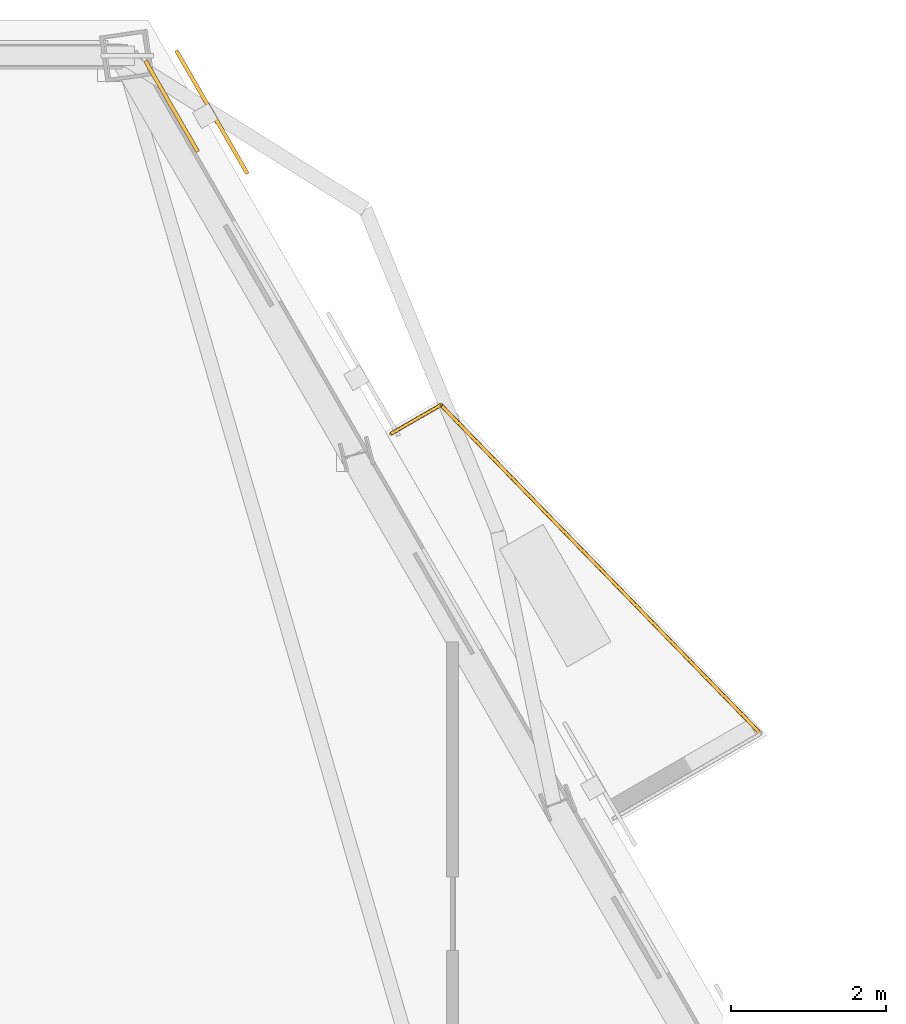
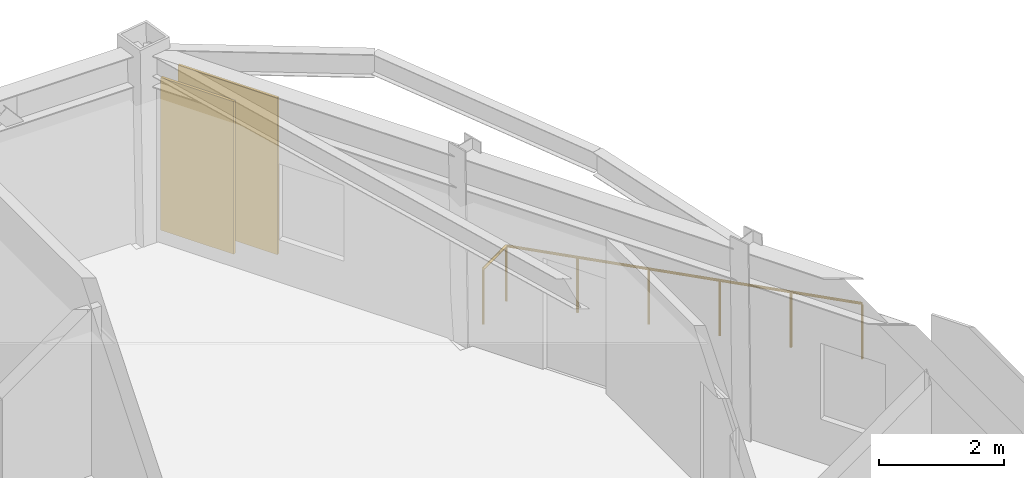
# One storey, part 9 of 9: 2 railings, 1 covering, 1 shading device.
"""IFC4 building model written with IfcOpenShell, lengths in metres."""

import ifcopenshell
import ifcopenshell.guid

model = None  # the IFC model being written
_history = None  # IfcOwnerHistory: only IFC2X3 demands one
_inside = {}  # id of a spatial element -> (the spatial element, [elements in it])
_under = {}  # id of a project, library or spatial element -> (it, [spatial elements below it])
_declared = {}  # id of a project -> (the project, [libraries it declares])
_typed = {}  # id of a type object -> (the type object, [elements of that type])
_made_of = {}  # id of a material, layer set ... -> (it, [elements and type objects made of it])


def new_model(schema):
    """Start an empty IFC model of exactly this schema.

    Asked for "IFC4X3", IfcOpenShell would pick the latest addendum, in which some entities
    have other attributes; the version numbers below select the first issue.
    IFC2X3 requires an IfcOwnerHistory on every rooted entity: one is made here for all.
    """
    global model, _history
    if schema == "IFC4X3":
        model = ifcopenshell.file(schema_version=(4, 3, 0, 0))
    else:
        model = ifcopenshell.file(schema=schema)
    _inside.clear()
    _under.clear()
    _declared.clear()
    _typed.clear()
    _made_of.clear()
    _history = None
    if model.schema == "IFC2X3":
        org = make("IfcOrganization", Name="unknown")
        user = make(
            "IfcPersonAndOrganization",
            ThePerson=make("IfcPerson", FamilyName="unknown"),
            TheOrganization=org,
        )
        app = make(
            "IfcApplication",
            ApplicationDeveloper=org,
            Version="unknown",
            ApplicationFullName="unknown",
            ApplicationIdentifier="unknown",
        )
        _history = make(
            "IfcOwnerHistory",
            OwningUser=user,
            OwningApplication=app,
            ChangeAction="ADDED",
            CreationDate=0,
        )
    return model


def make(cls, **values):
    """One entity of the class cls with the attributes given. An attribute that is None is left unset."""
    return model.create_entity(
        cls, **{name: value for name, value in values.items() if value is not None}
    )


def rooted(cls, **values):
    """An entity with a GlobalId (a new one), such as an element, a storey or a relation."""
    return make(cls, GlobalId=ifcopenshell.guid.new(), OwnerHistory=_history, **values)


def si_unit(unit_type, name, prefix=None):
    """IfcSIUnit, for example si_unit("LENGTHUNIT", "METRE", prefix="MILLI")."""
    return make("IfcSIUnit", UnitType=unit_type, Prefix=prefix, Name=name)


def assignment(units):
    """IfcUnitAssignment: the units of a project."""
    return None if units is None else make("IfcUnitAssignment", Units=units)


def point(xyz):
    """IfcCartesianPoint."""
    return None if xyz is None else make("IfcCartesianPoint", Coordinates=xyz)


def direction(xyz):
    """IfcDirection."""
    return None if xyz is None else make("IfcDirection", DirectionRatios=xyz)


def frame(location, z_axis=None, x_axis=None):
    """IfcAxis2Placement3D, a coordinate frame: its origin and axes. An axis left out is left unset."""
    return make(
        "IfcAxis2Placement3D",
        Location=point(location),
        Axis=direction(z_axis),
        RefDirection=direction(x_axis),
    )


def frame_2d(location, x_axis=None):
    """IfcAxis2Placement2D, a coordinate frame in the plane: its origin and x axis."""
    return make(
        "IfcAxis2Placement2D", Location=point(location), RefDirection=direction(x_axis)
    )


def origin():
    """The frame at (0, 0, 0) with its axes left unset."""
    return frame((0.0, 0.0, 0.0))


def origin_2d():
    """The frame at (0, 0) in the plane with its x axis left unset."""
    return frame_2d((0.0, 0.0))


def place(relative_to, where):
    """IfcLocalPlacement: puts the frame where relative to a parent placement (None: the world)."""
    return make(
        "IfcLocalPlacement", PlacementRelTo=relative_to, RelativePlacement=where
    )


def context(
    kind, dimensions, precision=None, world=None, true_north=None, identifier=None
):
    """IfcGeometricRepresentationContext, for example the 3D "Model" context."""
    return make(
        "IfcGeometricRepresentationContext",
        ContextIdentifier=identifier,
        ContextType=kind,
        CoordinateSpaceDimension=dimensions,
        Precision=precision,
        WorldCoordinateSystem=world,
        TrueNorth=true_north,
    )


def subcontext(parent, identifier, kind, view, scale=None):
    """IfcGeometricRepresentationSubContext, for example "Body" below "Model"."""
    return make(
        "IfcGeometricRepresentationSubContext",
        ContextIdentifier=identifier,
        ContextType=kind,
        ParentContext=parent,
        TargetScale=scale,
        TargetView=view,
    )


def project(units=None, contexts=None):
    """IfcProject with its units and contexts."""
    return rooted(
        "IfcProject",
        Name="project",
        RepresentationContexts=contexts,
        UnitsInContext=assignment(units),
    )


def spatial(cls, under=None, at=None, **own):
    """A site, building, storey or space (cls), placed at a placement, below another one or the project."""
    s = rooted(cls, ObjectPlacement=at, **own)
    if under is not None:
        _under.setdefault(under.id(), (under, []))[1].append(s)
    return s


def profile(cls, at=None, kind="AREA", **sizes):
    """A parametric profile (cls). Its sizes go by their IFC names, for example OverallWidth=200.0."""
    return make(cls, ProfileType=kind, Position=at, **sizes)


def rectangle(**sizes):
    """IfcRectangleProfileDef."""
    return profile("IfcRectangleProfileDef", **sizes)


def circle(**sizes):
    """IfcCircleProfileDef."""
    return profile("IfcCircleProfileDef", **sizes)


def extrude(swept, where, along, depth):
    """IfcExtrudedAreaSolid: the profile swept, set in the frame where, extruded along a direction by depth."""
    return make(
        "IfcExtrudedAreaSolid",
        SweptArea=swept,
        Position=where,
        ExtrudedDirection=direction(along),
        Depth=depth,
    )


def shape(context_of_items, identifier, shape_type, items):
    """IfcShapeRepresentation: the items that make up one representation, for example the "Body"."""
    return make(
        "IfcShapeRepresentation",
        ContextOfItems=context_of_items,
        RepresentationIdentifier=identifier,
        RepresentationType=shape_type,
        Items=items,
    )


def material(Name=None, Category=None):
    """IfcMaterial."""
    return make("IfcMaterial", Name=Name, Category=Category)


def layer(
    of_material, thickness, ventilated=None, Name=None, Category=None, Priority=None
):
    """IfcMaterialLayer: one layer of a wall or slab, of a material (None: an air gap)."""
    return make(
        "IfcMaterialLayer",
        Material=of_material,
        LayerThickness=thickness,
        IsVentilated=ventilated,
        Name=Name,
        Category=Category,
        Priority=Priority,
    )


def layer_set(layers, Name=None):
    """IfcMaterialLayerSet."""
    return make("IfcMaterialLayerSet", MaterialLayers=layers, LayerSetName=Name)


def made_of(thing, what):
    """Note that an element or type object is made of a material, layer set ...; save() writes the relation."""
    if what is not None:
        _made_of.setdefault(what.id(), (what, []))[1].append(thing)
    return thing


def type_object(cls, material=None, **own):
    """A type object (cls), such as IfcWallType, which elements share."""
    return made_of(rooted(cls, **own), material)


def element(
    cls,
    number,
    at=None,
    inside=None,
    cuts=None,
    type_object=None,
    material=None,
    context=None,
    identifier="Body",
    shape_type=None,
    held_by="IfcProductDefinitionShape",
    body=None,
    shapes=None,
    **own,
):
    """One element of the class cls, such as IfcWall. Its Tag is "e" and its number.

    at: its placement. inside: the storey or other place that contains it. cuts: it is an
    opening in that element (IfcRelVoidsElement). A single representation is given by context,
    identifier, shape_type and body (its items); several are given by shapes. held_by: the class
    of the entity that holds the representations. save() writes the other relations.
    """
    e = rooted(cls, Tag="e%d" % number, ObjectPlacement=at, **own)
    if body is not None:
        shapes = [shape(context, identifier, shape_type, body)]
    if shapes is not None:
        e.Representation = make(held_by, Representations=shapes)
    if inside is not None:
        _inside.setdefault(inside.id(), (inside, []))[1].append(e)
    if cuts is not None:
        rooted(
            "IfcRelVoidsElement", RelatingBuildingElement=cuts, RelatedOpeningElement=e
        )
    if type_object is not None:
        _typed.setdefault(type_object.id(), (type_object, []))[1].append(e)
    return made_of(e, material)


def aggregate(whole, parts):
    """IfcRelAggregates: a whole, such as a stair, and the parts it consists of."""
    return rooted("IfcRelAggregates", RelatingObject=whole, RelatedObjects=parts)


def save(model, path):
    """Write the relations noted so far, then the file.

    IfcRelAggregates (storeys below a building ...), IfcRelContainedInSpatialStructure (elements
    in a storey), IfcRelDefinesByType, IfcRelAssociatesMaterial and IfcRelDeclares: one each for
    every whole, place, type object, material and project.
    """
    for whole, parts in _under.values():
        aggregate(whole, parts)
    for where, things in _inside.values():
        rooted(
            "IfcRelContainedInSpatialStructure",
            RelatedElements=things,
            RelatingStructure=where,
        )
    for kind, things in _typed.values():
        rooted("IfcRelDefinesByType", RelatedObjects=things, RelatingType=kind)
    for what, things in _made_of.values():
        rooted("IfcRelAssociatesMaterial", RelatedObjects=things, RelatingMaterial=what)
    for by, libraries in _declared.values():
        rooted("IfcRelDeclares", RelatingContext=by, RelatedDefinitions=libraries)
    model.write(path)


model = new_model("IFC4")

# Units and contexts
model_context = context("Model", 3, precision=1e-05, world=origin(), true_north=direction((0.0, 1.0)))
body_context = subcontext(model_context, "Body", "Model", "MODEL_VIEW")
ifc_project = project(units=[si_unit("LENGTHUNIT", "METRE"), si_unit("AREAUNIT", "SQUARE_METRE"), si_unit("VOLUMEUNIT", "CUBIC_METRE"), si_unit("PLANEANGLEUNIT", "RADIAN"), si_unit("MASSUNIT", "GRAM", prefix="KILO")], contexts=[model_context])

# Site, building, storey
site_placement = place(None, origin())
site = spatial("IfcSite", under=ifc_project, at=site_placement, CompositionType="ELEMENT")
building_placement = place(site_placement, origin())
building = spatial("IfcBuilding", under=site, at=building_placement, Name="Oramaril Tower", CompositionType="ELEMENT")
storey_placement = place(building_placement, frame((0.0, 0.0, 249.89990234375)))
storey = spatial("IfcBuildingStorey", under=building, at=storey_placement, Name="L66", CompositionType="ELEMENT", Elevation=249.89990234375)

# Covering
ifc_material_1 = material(Name="Warm Cream Limestone", Category="masonry")
ifc_layer = layer(ifc_material_1, 0.050048828125)
ifc_layer_set = layer_set([ifc_layer], Name="CVT-CLD")
covering_type = type_object("IfcCoveringType", Name="CVT-CLD", PredefinedType="CLADDING", material=ifc_layer_set)
covering_placement = place(storey_placement, frame((40.818603515625, 42.427001953125, 0.0400390625), z_axis=(0.0, 0.0, 1.0), x_axis=(-0.4999984885, 0.866026276448, 0.0)))
element("IfcCovering", 1, at=covering_placement, inside=storey, type_object=covering_type, Name="L66 Warm Cream Limestone Cladding", PredefinedType="CLADDING", context=body_context, shape_type="SweptSolid", body=[
    extrude(rectangle(XDim=1.35009765625, YDim=0.050048828125, at=origin_2d()), origin(), (0.0, 0.0, 1.0), 2.97802734375),
])

# Railings
ifc_material_2 = material(Name="Stainless Steel 316L", Category="steel")
railing_type = type_object("IfcRailingType", Name="RLT-GRD", PredefinedType="GUARDRAIL", material=ifc_material_2)
railing_1_placement = place(storey_placement, frame((43.64794921875, 38.20654296875, 0.0)))
element("IfcRailing", 2, at=railing_1_placement, inside=storey, type_object=railing_type, Name="L66 Balcony Guardrail L66-BAL-NE2.1", PredefinedType="GUARDRAIL", context=body_context, shape_type="SweptSolid", body=[
    extrude(circle(Radius=0.02392578125, at=origin_2d()), frame((0.0, 0.0, 1.076171875), z_axis=(0.865884080729, 0.500244698863, 0.0), x_axis=(-0.500244698863, 0.865884080729, 0.0)), (0.0, 0.0, 1.0), 0.741943359375),
    extrude(circle(Radius=0.02099609375, at=origin_2d()), origin(), (0.0, 0.0, 1.0), 1.052001953125),
    extrude(circle(Radius=0.02099609375, at=origin_2d()), frame((0.642333984375, 0.37109375, 0.0)), (0.0, 0.0, 1.0), 1.052001953125),
])
railing_2_placement = place(storey_placement, frame((44.290283203125, 38.57763671875, 0.0)))
element("IfcRailing", 3, at=railing_2_placement, inside=storey, type_object=railing_type, Name="L66 Balcony Guardrail L66-BAL-NE2.2", PredefinedType="GUARDRAIL", context=body_context, shape_type="SweptSolid", body=[
    extrude(circle(Radius=0.02392578125, at=origin_2d()), frame((0.0, 0.0, 1.076171875), z_axis=(0.697186915353, -0.716889395277, 0.0), x_axis=(0.716889395277, 0.697186915353, 0.0)), (0.0, 0.0, 1.0), 5.91064453125),
    extrude(circle(Radius=0.02099609375, at=origin_2d()), origin(), (0.0, 0.0, 1.0), 1.052001953125),
    extrude(circle(Radius=0.02099609375, at=origin_2d()), frame((0.82421875, -0.847412109375, 0.0)), (0.0, 0.0, 1.0), 1.052001953125),
    extrude(circle(Radius=0.02099609375, at=origin_2d()), frame((1.6484375, -1.69482421875, 0.0)), (0.0, 0.0, 1.0), 1.052001953125),
    extrude(circle(Radius=0.02099609375, at=origin_2d()), frame((2.472412109375, -2.54248046875, 0.0)), (0.0, 0.0, 1.0), 1.052001953125),
    extrude(circle(Radius=0.02099609375, at=origin_2d()), frame((3.296630859375, -3.389892578125, 0.0)), (0.0, 0.0, 1.0), 1.052001953125),
    extrude(circle(Radius=0.02099609375, at=origin_2d()), frame((4.120849609375, -4.2373046875, 0.0)), (0.0, 0.0, 1.0), 1.052001953125),
])

# Shading device
shading_device_placement = place(storey_placement, frame((41.337646484375, 42.351806640625, -0.02001953125), z_axis=(0.0, 0.0, 1.0), x_axis=(-0.4999984885, 0.866026276448, 0.0)))
element("IfcShadingDevice", 4, at=shading_device_placement, inside=storey, Name="L66 Perforated Ceramic Solar Screen", ObjectType="SCREEN", PredefinedType="USERDEFINED", context=body_context, shape_type="SweptSolid", body=[
    extrude(rectangle(XDim=1.8330078125, YDim=0.050048828125, at=origin_2d()), origin(), (0.0, 0.0, 1.0), 3.05810546875),
])

save(model, "model.ifc")
